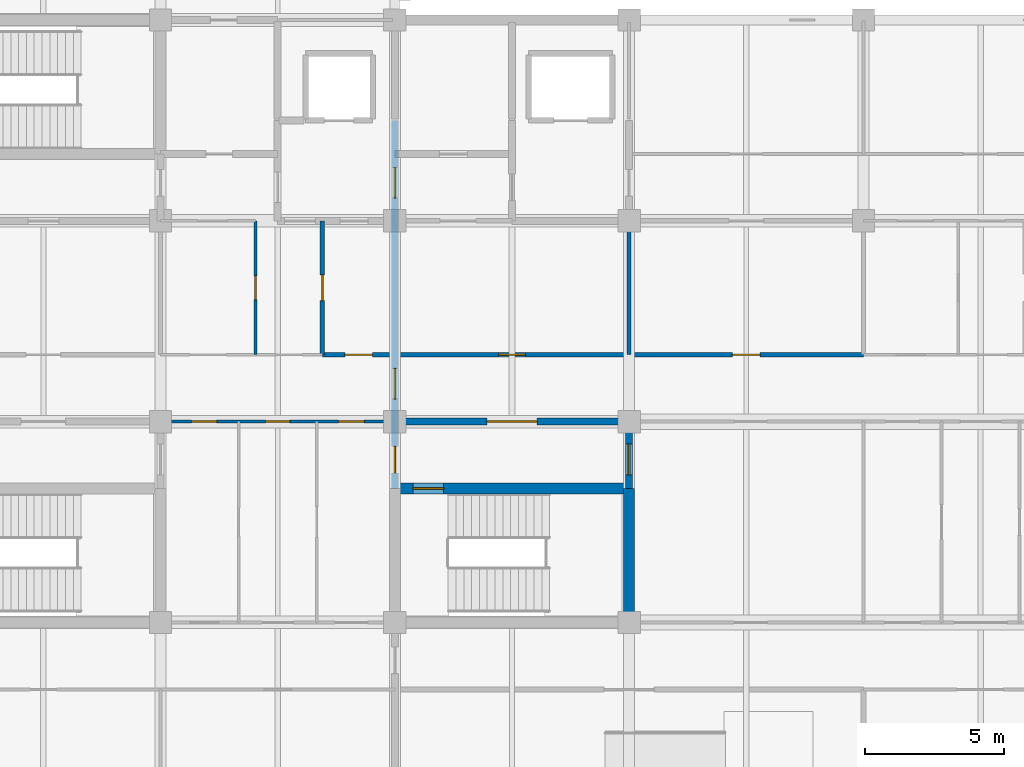
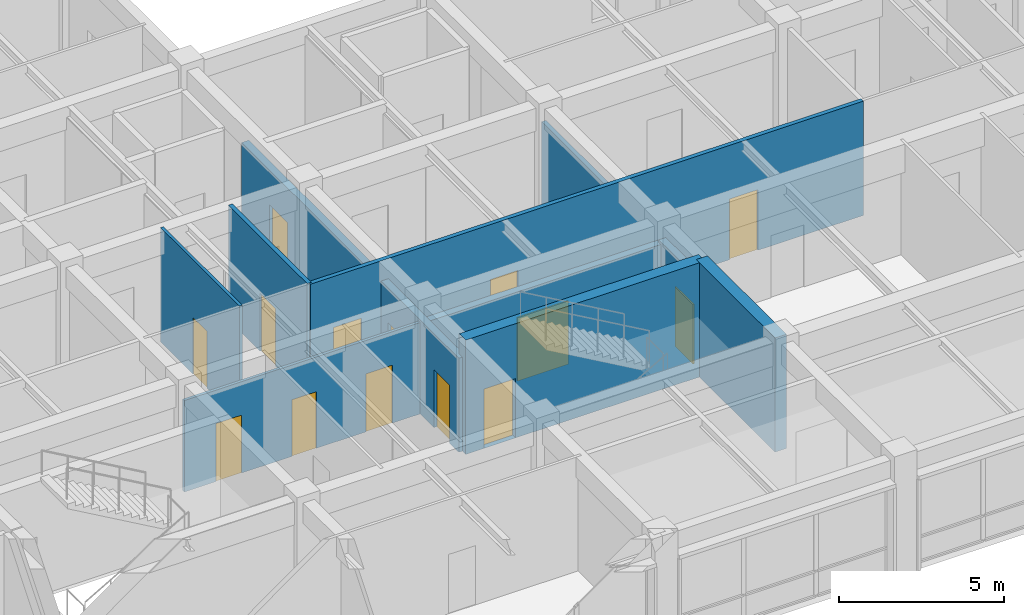
# One storey, part 25 of 40: 14 doors, 10 walls, 14 openings.
"""IFC4 building model written with IfcOpenShell, lengths in metres."""

from ifc_helpers import new_model, si_unit, direction, frame, frame_2d, origin, place, context, subcontext, project, spatial, rectangle, extrude, material, layer, layer_set, type_object, element, fill, save


model = new_model("IFC4")

# Units and contexts
model_context = context("Model", 3, precision=1e-05, world=origin(), true_north=direction((0.0, 1.0)))
body_context = subcontext(model_context, "Body", "Model", "MODEL_VIEW")
ifc_project = project(units=[si_unit("LENGTHUNIT", "METRE"), si_unit("AREAUNIT", "SQUARE_METRE"), si_unit("VOLUMEUNIT", "CUBIC_METRE"), si_unit("PLANEANGLEUNIT", "RADIAN"), si_unit("MASSUNIT", "GRAM", prefix="KILO")], contexts=[model_context])

# Site, building, storey
site_placement = place(None, origin())
site = spatial("IfcSite", under=ifc_project, at=site_placement, CompositionType="ELEMENT")
building_placement = place(site_placement, origin())
building = spatial("IfcBuilding", under=site, at=building_placement, Name="Chengyuan Square Courthouse", CompositionType="ELEMENT")
storey_placement = place(building_placement, frame((0.0, 0.0, 21.60009765625)))
storey = spatial("IfcBuildingStorey", under=building, at=storey_placement, Name="L05", CompositionType="ELEMENT", Elevation=21.60009765625)

# Wall, opening, door
ifc_material_1 = material(Name="Concrete C40", Category="concrete")
ifc_layer_1 = layer(ifc_material_1, 0.25)
ifc_layer_set_1 = layer_set([ifc_layer_1], Name="Concrete C40")
wall_type_1 = type_object("IfcWallType", Name="WL-FW1", PredefinedType="STANDARD", material=ifc_layer_set_1)
wall_1_placement = place(storey_placement, frame((117.60009765625, 93.60009765625, 0.0), z_axis=(0.0, 0.0, 1.0), x_axis=(1.0, 0.0, 0.0)))
wall_1 = element("IfcWall", 1, at=wall_1_placement, inside=storey, type_object=wall_type_1, Name="Interior Wall WL-L05-I2141", PredefinedType="STANDARD", context=body_context, shape_type="SweptSolid", body=[
    extrude(rectangle(XDim=8.39990234375, YDim=0.25, at=frame_2d((4.199951171875, 0.0))), origin(), (0.0, 0.0, 1.0), 3.389892578125),
])
opening_1_placement = place(wall_1_placement, frame((3.300048828125, 0.0, 0.0)))
opening_1 = element("IfcOpeningElement", 2, at=opening_1_placement, cuts=wall_1, Name="Opening DR-1940", PredefinedType="OPENING", context=body_context, shape_type="SweptSolid", body=[
    extrude(rectangle(XDim=1.800048828125, YDim=2.35009765625, at=frame_2d((0.89990234375, 1.175048828125))), frame((0.0, 0.136962890625, 0.0), z_axis=(0.0, -1.0, 0.0), x_axis=(1.0, 0.0, 0.0)), (0.0, 0.0, 1.0), 0.27392578125),
])
ifc_material_2 = material(Name="Steel Q235B Glazed Fire Door", Category="steel")
door_type_1 = type_object("IfcDoorType", Name="DT-18", OperationType="DOUBLE_DOOR_SINGLE_SWING", PredefinedType="DOOR", material=ifc_material_2)
door_1_placement = place(opening_1_placement, frame((1.800048828125, 0.0, 0.0), z_axis=(0.0, 0.0, 1.0), x_axis=(-1.0, 0.0, 0.0)))
door_1 = element("IfcDoor", 3, at=door_1_placement, inside=storey, type_object=door_type_1, Name="Interior Door DR-1940", OperationType="DOUBLE_DOOR_SINGLE_SWING", OverallHeight=2.35009765625, OverallWidth=1.800048828125, PredefinedType="DOOR", context=body_context, shape_type="SweptSolid", body=[
    extrude(rectangle(XDim=1.800048828125, YDim=2.35009765625, at=frame_2d((0.89990234375, 1.175048828125))), frame((0.0, 0.02490234375, 0.0), z_axis=(0.0, -1.0, 0.0), x_axis=(1.0, 0.0, 0.0)), (0.0, 0.0, 1.0), 0.050048828125),
])
fill(opening_1, door_1)

# Wall, openings, doors
wall_2_placement = place(storey_placement, frame((117.60009765625, 91.199951171875, 0.0), z_axis=(0.0, 0.0, 1.0), x_axis=(0.0, 1.0, 0.0)))
wall_2 = element("IfcWall", 4, at=wall_2_placement, inside=storey, type_object=wall_type_1, Name="Interior Wall WL-L05-I2340", PredefinedType="STANDARD", context=body_context, shape_type="SweptSolid", body=[
    extrude(rectangle(XDim=13.199951171875, YDim=0.25, at=frame_2d((6.60009765625, 0.0))), origin(), (0.0, 0.0, 1.0), 3.489990234375),
])
opening_2_placement = place(wall_2_placement, frame((0.56494140625, 0.0, 0.0)))
opening_2 = element("IfcOpeningElement", 5, at=opening_2_placement, cuts=wall_2, Name="Opening DR-1941", PredefinedType="OPENING", context=body_context, shape_type="SweptSolid", body=[
    extrude(rectangle(XDim=0.949951171875, YDim=2.14990234375, at=frame_2d((0.47509765625, 1.074951171875))), frame((0.0, 0.136962890625, 0.0), z_axis=(0.0, -1.0, 0.0), x_axis=(1.0, 0.0, 0.0)), (0.0, 0.0, 1.0), 0.27392578125),
])
opening_3_placement = place(wall_2_placement, frame((10.409912109375, 0.0, 0.0)))
opening_3 = element("IfcOpeningElement", 6, at=opening_3_placement, cuts=wall_2, Name="Opening DR-1960", PredefinedType="OPENING", context=body_context, shape_type="SweptSolid", body=[
    extrude(rectangle(XDim=1.10009765625, YDim=2.199951171875, at=frame_2d((0.550048828125, 1.10009765625))), frame((0.0, 0.136962890625, 0.0), z_axis=(0.0, -1.0, 0.0), x_axis=(1.0, 0.0, 0.0)), (0.0, 0.0, 1.0), 0.27392578125),
])
opening_4_placement = place(wall_2_placement, frame((3.2099609375, 0.0, 0.0)))
opening_4 = element("IfcOpeningElement", 7, at=opening_4_placement, cuts=wall_2, Name="Opening DR-2023", PredefinedType="OPENING", context=body_context, shape_type="SweptSolid", body=[
    extrude(rectangle(XDim=1.10009765625, YDim=2.199951171875, at=frame_2d((0.550048828125, 1.10009765625))), frame((0.0, 0.136962890625, 0.0), z_axis=(0.0, -1.0, 0.0), x_axis=(1.0, 0.0, 0.0)), (0.0, 0.0, 1.0), 0.27392578125),
])
ifc_material_3 = material(Name="Steel Q235B Fire Door", Category="steel")
door_type_2 = type_object("IfcDoorType", Name="DT-10", OperationType="NOTDEFINED", PredefinedType="DOOR", material=ifc_material_3)
door_2_placement = place(opening_3_placement, origin())
door_2 = element("IfcDoor", 8, at=door_2_placement, inside=storey, type_object=door_type_2, Name="Interior Door DR-1960", OperationType="SINGLE_SWING_LEFT", OverallHeight=2.199951171875, OverallWidth=1.10009765625, PredefinedType="DOOR", context=body_context, shape_type="SweptSolid", body=[
    extrude(rectangle(XDim=1.10009765625, YDim=2.199951171875, at=frame_2d((0.550048828125, 1.10009765625))), frame((0.0, 0.02490234375, 0.0), z_axis=(0.0, -1.0, 0.0), x_axis=(1.0, 0.0, 0.0)), (0.0, 0.0, 1.0), 0.050048828125),
])
fill(opening_3, door_2)
door_3_placement = place(opening_4_placement, origin())
door_3 = element("IfcDoor", 9, at=door_3_placement, inside=storey, type_object=door_type_2, Name="Interior Door DR-2023", OperationType="SINGLE_SWING_LEFT", OverallHeight=2.199951171875, OverallWidth=1.10009765625, PredefinedType="DOOR", context=body_context, shape_type="SweptSolid", body=[
    extrude(rectangle(XDim=1.10009765625, YDim=2.199951171875, at=frame_2d((0.550048828125, 1.10009765625))), frame((0.0, 0.02490234375, 0.0), z_axis=(0.0, -1.0, 0.0), x_axis=(1.0, 0.0, 0.0)), (0.0, 0.0, 1.0), 0.050048828125),
])
fill(opening_4, door_3)
door_type_3 = type_object("IfcDoorType", Name="DT-12", OperationType="NOTDEFINED", PredefinedType="DOOR", material=ifc_material_3)
door_4_placement = place(opening_2_placement, origin())
door_4 = element("IfcDoor", 10, at=door_4_placement, inside=storey, type_object=door_type_3, Name="Interior Door DR-1941", OperationType="SINGLE_SWING_RIGHT", OverallHeight=2.14990234375, OverallWidth=0.949951171875, PredefinedType="DOOR", context=body_context, shape_type="SweptSolid", body=[
    extrude(rectangle(XDim=0.949951171875, YDim=2.14990234375, at=frame_2d((0.47509765625, 1.074951171875))), frame((0.0, 0.02490234375, 0.0), z_axis=(0.0, -1.0, 0.0), x_axis=(1.0, 0.0, 0.0)), (0.0, 0.0, 1.0), 0.050048828125),
])
fill(opening_2, door_4)

# Wall, opening, door
wall_3_placement = place(storey_placement, frame((126.0, 91.199951171875, 0.0), z_axis=(0.0, 0.0, 1.0), x_axis=(0.0, 1.0, 0.0)))
wall_3 = element("IfcWall", 11, at=wall_3_placement, inside=storey, type_object=wall_type_1, Name="Interior Wall WL-L05-I2347", PredefinedType="STANDARD", context=body_context, shape_type="SweptSolid", body=[
    extrude(rectangle(XDim=2.400146484375, YDim=0.25, at=frame_2d((1.2001953125, 0.0))), origin(), (0.0, 0.0, 1.0), 3.489990234375),
])
opening_5_placement = place(wall_3_placement, frame((0.489990234375, 0.0, 0.0)))
opening_5 = element("IfcOpeningElement", 12, at=opening_5_placement, cuts=wall_3, Name="Opening DR-1942", PredefinedType="OPENING", context=body_context, shape_type="SweptSolid", body=[
    extrude(rectangle(XDim=1.10009765625, YDim=2.199951171875, at=frame_2d((0.550048828125, 1.10009765625))), frame((0.0, 0.136962890625, 0.0), z_axis=(0.0, -1.0, 0.0), x_axis=(1.0, 0.0, 0.0)), (0.0, 0.0, 1.0), 0.27392578125),
])
door_5_placement = place(opening_5_placement, origin())
door_5 = element("IfcDoor", 13, at=door_5_placement, inside=storey, type_object=door_type_2, Name="Interior Door DR-1942", OperationType="SINGLE_SWING_LEFT", OverallHeight=2.199951171875, OverallWidth=1.10009765625, PredefinedType="DOOR", context=body_context, shape_type="SweptSolid", body=[
    extrude(rectangle(XDim=1.10009765625, YDim=2.199951171875, at=frame_2d((0.550048828125, 1.10009765625))), frame((0.0, 0.02490234375, 0.0), z_axis=(0.0, -1.0, 0.0), x_axis=(1.0, 0.0, 0.0)), (0.0, 0.0, 1.0), 0.050048828125),
])
fill(opening_5, door_5)

# Wall, openings, doors
ifc_material_4 = material(Name="Deliberation Room Sound-Insulated Partition")
ifc_layer_2 = layer(ifc_material_4, 0.14990234375)
ifc_layer_set_2 = layer_set([ifc_layer_2], Name="Deliberation Room Sound-Insulated Partition")
wall_type_2 = type_object("IfcWallType", Name="WL-PT3", PredefinedType="STANDARD", material=ifc_layer_set_2)
wall_4_placement = place(storey_placement, frame((115.0, 96.0, 0.0), z_axis=(0.0, 0.0, 1.0), x_axis=(1.0, 0.0, 0.0)))
wall_4 = element("IfcWall", 14, at=wall_4_placement, inside=storey, type_object=wall_type_2, Name="Interior Wall WL-L05-I2150", PredefinedType="STANDARD", context=body_context, shape_type="SweptSolid", body=[
    extrude(rectangle(XDim=19.39990234375, YDim=0.14990234375, at=frame_2d((9.699951171875, 0.0))), origin(), (0.0, 0.0, 1.0), 4.239990234375),
])
opening_6_placement = place(wall_4_placement, frame((0.81005859375, 0.0, 0.0)))
opening_6 = element("IfcOpeningElement", 15, at=opening_6_placement, cuts=wall_4, Name="Opening DR-2031", PredefinedType="OPENING", context=body_context, shape_type="SweptSolid", body=[
    extrude(rectangle(XDim=0.97998046875, YDim=2.35009765625, at=frame_2d((0.489990234375, 1.175048828125))), frame((0.0, 0.0869140625, 0.0), z_axis=(0.0, -1.0, 0.0), x_axis=(1.0, 0.0, 0.0)), (0.0, 0.0, 1.0), 0.173828125),
])
opening_7_placement = place(wall_4_placement, frame((6.320068359375, 0.0, 0.0)))
opening_7 = element("IfcOpeningElement", 16, at=opening_7_placement, cuts=wall_4, Name="Opening DR-2038", PredefinedType="OPENING", context=body_context, shape_type="SweptSolid", body=[
    extrude(rectangle(XDim=0.9599609375, YDim=2.199951171875, at=frame_2d((0.47998046875, 1.10009765625))), frame((0.0, 0.0869140625, 0.0), z_axis=(0.0, -1.0, 0.0), x_axis=(1.0, 0.0, 0.0)), (0.0, 0.0, 1.0), 0.173828125),
])
opening_8_placement = place(wall_4_placement, frame((14.699951171875, 0.0, 0.0)))
opening_8 = element("IfcOpeningElement", 17, at=opening_8_placement, cuts=wall_4, Name="Opening DR-2039", PredefinedType="OPENING", context=body_context, shape_type="SweptSolid", body=[
    extrude(rectangle(XDim=1.0, YDim=2.25, at=frame_2d((0.5, 1.125))), frame((0.0, 0.0869140625, 0.0), z_axis=(0.0, -1.0, 0.0), x_axis=(1.0, 0.0, 0.0)), (0.0, 0.0, 1.0), 0.173828125),
])
ifc_material_5 = material(Name="Acoustic Solid-Core Timber Door", Category="wood")
door_type_4 = type_object("IfcDoorType", Name="DT-30", OperationType="NOTDEFINED", PredefinedType="DOOR", material=ifc_material_5)
door_6_placement = place(opening_7_placement, origin())
door_6 = element("IfcDoor", 18, at=door_6_placement, inside=storey, type_object=door_type_4, Name="Interior Door DR-2038", OperationType="SINGLE_SWING_RIGHT", OverallHeight=2.199951171875, OverallWidth=0.9599609375, PredefinedType="DOOR", context=body_context, shape_type="SweptSolid", body=[
    extrude(rectangle(XDim=0.9599609375, YDim=2.199951171875, at=frame_2d((0.47998046875, 1.10009765625))), frame((0.0, 0.02490234375, 0.0), z_axis=(0.0, -1.0, 0.0), x_axis=(1.0, 0.0, 0.0)), (0.0, 0.0, 1.0), 0.050048828125),
])
fill(opening_7, door_6)
door_type_5 = type_object("IfcDoorType", Name="DT-31", OperationType="NOTDEFINED", PredefinedType="DOOR", material=ifc_material_5)
door_7_placement = place(opening_8_placement, origin())
door_7 = element("IfcDoor", 19, at=door_7_placement, inside=storey, type_object=door_type_5, Name="Interior Door DR-2039", OperationType="SINGLE_SWING_LEFT", OverallHeight=2.25, OverallWidth=1.0, PredefinedType="DOOR", context=body_context, shape_type="SweptSolid", body=[
    extrude(rectangle(XDim=1.0, YDim=2.25, at=frame_2d((0.5, 1.125))), frame((0.0, 0.02490234375, 0.0), z_axis=(0.0, -1.0, 0.0), x_axis=(1.0, 0.0, 0.0)), (0.0, 0.0, 1.0), 0.050048828125),
])
fill(opening_8, door_7)
door_type_6 = type_object("IfcDoorType", Name="DT-40", OperationType="NOTDEFINED", PredefinedType="DOOR", material=ifc_material_5)
door_8_placement = place(opening_6_placement, origin())
door_8 = element("IfcDoor", 20, at=door_8_placement, inside=storey, type_object=door_type_6, Name="Interior Door DR-2031", OperationType="SINGLE_SWING_LEFT", OverallHeight=2.35009765625, OverallWidth=0.97998046875, PredefinedType="DOOR", context=body_context, shape_type="SweptSolid", body=[
    extrude(rectangle(XDim=0.97998046875, YDim=2.35009765625, at=frame_2d((0.489990234375, 1.175048828125))), frame((0.0, 0.02490234375, 0.0), z_axis=(0.0, -1.0, 0.0), x_axis=(1.0, 0.0, 0.0)), (0.0, 0.0, 1.0), 0.050048828125),
])
fill(opening_6, door_8)

# Wall, opening, door
wall_5_placement = place(storey_placement, frame((115.0, 96.0, 0.0), z_axis=(0.0, 0.0, 1.0), x_axis=(0.0, 1.0, 0.0)))
wall_5 = element("IfcWall", 21, at=wall_5_placement, inside=storey, type_object=wall_type_2, Name="Interior Wall WL-L05-I2336", PredefinedType="STANDARD", context=body_context, shape_type="SweptSolid", body=[
    extrude(rectangle(XDim=4.800048828125, YDim=0.14990234375, at=frame_2d((2.39990234375, 0.0))), origin(), (0.0, 0.0, 1.0), 4.239990234375),
])
opening_9_placement = place(wall_5_placement, frame((1.93994140625, 0.0, 0.0)))
opening_9 = element("IfcOpeningElement", 22, at=opening_9_placement, cuts=wall_5, Name="Opening DR-2054", PredefinedType="OPENING", context=body_context, shape_type="SweptSolid", body=[
    extrude(rectangle(XDim=0.919921875, YDim=2.14990234375, at=frame_2d((0.4599609375, 1.074951171875))), frame((0.0, 0.0869140625, 0.0), z_axis=(0.0, -1.0, 0.0), x_axis=(1.0, 0.0, 0.0)), (0.0, 0.0, 1.0), 0.173828125),
])
door_type_7 = type_object("IfcDoorType", Name="DT-29", OperationType="NOTDEFINED", PredefinedType="DOOR", material=ifc_material_5)
door_9_placement = place(opening_9_placement, origin())
door_9 = element("IfcDoor", 23, at=door_9_placement, inside=storey, type_object=door_type_7, Name="Interior Door DR-2054", OperationType="SINGLE_SWING_LEFT", OverallHeight=2.14990234375, OverallWidth=0.919921875, PredefinedType="DOOR", context=body_context, shape_type="SweptSolid", body=[
    extrude(rectangle(XDim=0.919921875, YDim=2.14990234375, at=frame_2d((0.4599609375, 1.074951171875))), frame((0.0, 0.02490234375, 0.0), z_axis=(0.0, -1.0, 0.0), x_axis=(1.0, 0.0, 0.0)), (0.0, 0.0, 1.0), 0.050048828125),
])
fill(opening_9, door_9)

# Wall
wall_6_placement = place(storey_placement, frame((126.0, 96.0, 0.0), z_axis=(0.0, 0.0, 1.0), x_axis=(0.0, 1.0, 0.0)))
element("IfcWall", 24, at=wall_6_placement, inside=storey, type_object=wall_type_2, Name="Interior Wall WL-L05-I2348", PredefinedType="STANDARD", context=body_context, shape_type="SweptSolid", body=[
    extrude(rectangle(XDim=4.800048828125, YDim=0.14990234375, at=frame_2d((2.39990234375, 0.0))), origin(), (0.0, 0.0, 1.0), 3.489990234375),
])

# Wall, openings, doors
ifc_material_6 = material(Name="Gypsum Plasterboard Acoustic Stud Partition")
ifc_layer_3 = layer(ifc_material_6, 0.10009765625)
ifc_layer_set_3 = layer_set([ifc_layer_3], Name="Gypsum Plasterboard Acoustic Stud Partition")
wall_type_3 = type_object("IfcWallType", Name="WL-PT6", PredefinedType="STANDARD", material=ifc_layer_set_3)
wall_7_placement = place(storey_placement, frame((109.199951171875, 93.60009765625, 0.0), z_axis=(0.0, 0.0, 1.0), x_axis=(1.0, 0.0, 0.0)))
wall_7 = element("IfcWall", 25, at=wall_7_placement, inside=storey, type_object=wall_type_3, Name="Interior Wall WL-L05-I2140", PredefinedType="STANDARD", context=body_context, shape_type="SweptSolid", body=[
    extrude(rectangle(XDim=8.400146484375, YDim=0.10009765625, at=frame_2d((4.2001953125, 0.0))), origin(), (0.0, 0.0, 1.0), 3.389892578125),
])
opening_10_placement = place(wall_7_placement, frame((1.110107421875, 0.0, 0.0)))
opening_10 = element("IfcOpeningElement", 26, at=opening_10_placement, cuts=wall_7, Name="Opening DR-2035", PredefinedType="OPENING", context=body_context, shape_type="SweptSolid", body=[
    extrude(rectangle(XDim=0.89990234375, YDim=2.14990234375, at=frame_2d((0.449951171875, 1.074951171875))), frame((0.0, 0.06201171875, 0.0), z_axis=(0.0, -1.0, 0.0), x_axis=(1.0, 0.0, 0.0)), (0.0, 0.0, 1.0), 0.1240234375),
])
opening_11_placement = place(wall_7_placement, frame((3.77001953125, 0.0, 0.0)))
opening_11 = element("IfcOpeningElement", 27, at=opening_11_placement, cuts=wall_7, Name="Opening DR-2036", PredefinedType="OPENING", context=body_context, shape_type="SweptSolid", body=[
    extrude(rectangle(XDim=0.860107421875, YDim=2.10009765625, at=frame_2d((0.43017578125, 1.050048828125))), frame((0.0, 0.06201171875, 0.0), z_axis=(0.0, -1.0, 0.0), x_axis=(1.0, 0.0, 0.0)), (0.0, 0.0, 1.0), 0.1240234375),
])
opening_12_placement = place(wall_7_placement, frame((6.3798828125, 0.0, 0.0)))
opening_12 = element("IfcOpeningElement", 28, at=opening_12_placement, cuts=wall_7, Name="Opening DR-2037", PredefinedType="OPENING", context=body_context, shape_type="SweptSolid", body=[
    extrude(rectangle(XDim=0.919921875, YDim=2.14990234375, at=frame_2d((0.4599609375, 1.074951171875))), frame((0.0, 0.06201171875, 0.0), z_axis=(0.0, -1.0, 0.0), x_axis=(1.0, 0.0, 0.0)), (0.0, 0.0, 1.0), 0.1240234375),
])
door_type_8 = type_object("IfcDoorType", Name="DT-27", OperationType="NOTDEFINED", PredefinedType="DOOR", material=ifc_material_5)
door_10_placement = place(opening_10_placement, origin())
door_10 = element("IfcDoor", 29, at=door_10_placement, inside=storey, type_object=door_type_8, Name="Interior Door DR-2035", OperationType="SINGLE_SWING_LEFT", OverallHeight=2.14990234375, OverallWidth=0.89990234375, PredefinedType="DOOR", context=body_context, shape_type="SweptSolid", body=[
    extrude(rectangle(XDim=0.89990234375, YDim=2.14990234375, at=frame_2d((0.449951171875, 1.074951171875))), frame((0.0, 0.02490234375, 0.0), z_axis=(0.0, -1.0, 0.0), x_axis=(1.0, 0.0, 0.0)), (0.0, 0.0, 1.0), 0.050048828125),
])
fill(opening_10, door_10)
door_type_9 = type_object("IfcDoorType", Name="DT-28", OperationType="NOTDEFINED", PredefinedType="DOOR", material=ifc_material_5)
door_11_placement = place(opening_11_placement, origin())
door_11 = element("IfcDoor", 30, at=door_11_placement, inside=storey, type_object=door_type_9, Name="Interior Door DR-2036", OperationType="SINGLE_SWING_RIGHT", OverallHeight=2.10009765625, OverallWidth=0.860107421875, PredefinedType="DOOR", context=body_context, shape_type="SweptSolid", body=[
    extrude(rectangle(XDim=0.860107421875, YDim=2.10009765625, at=frame_2d((0.43017578125, 1.050048828125))), frame((0.0, 0.02490234375, 0.0), z_axis=(0.0, -1.0, 0.0), x_axis=(1.0, 0.0, 0.0)), (0.0, 0.0, 1.0), 0.050048828125),
])
fill(opening_11, door_11)
door_12_placement = place(opening_12_placement, origin())
door_12 = element("IfcDoor", 31, at=door_12_placement, inside=storey, type_object=door_type_7, Name="Interior Door DR-2037", OperationType="SINGLE_SWING_LEFT", OverallHeight=2.14990234375, OverallWidth=0.919921875, PredefinedType="DOOR", context=body_context, shape_type="SweptSolid", body=[
    extrude(rectangle(XDim=0.919921875, YDim=2.14990234375, at=frame_2d((0.4599609375, 1.074951171875))), frame((0.0, 0.02490234375, 0.0), z_axis=(0.0, -1.0, 0.0), x_axis=(1.0, 0.0, 0.0)), (0.0, 0.0, 1.0), 0.050048828125),
])
fill(opening_12, door_12)

# Wall, opening, door
wall_8_placement = place(storey_placement, frame((112.60009765625, 96.0, 0.0), z_axis=(0.0, 0.0, 1.0), x_axis=(0.0, 1.0, 0.0)))
wall_8 = element("IfcWall", 32, at=wall_8_placement, inside=storey, type_object=wall_type_3, Name="Interior Wall WL-L05-I2331", PredefinedType="STANDARD", context=body_context, shape_type="SweptSolid", body=[
    extrude(rectangle(XDim=4.800048828125, YDim=0.10009765625, at=frame_2d((2.39990234375, 0.0))), origin(), (0.0, 0.0, 1.0), 4.239990234375),
])
opening_13_placement = place(wall_8_placement, frame((1.969970703125, 0.0, 0.0)))
opening_13 = element("IfcOpeningElement", 33, at=opening_13_placement, cuts=wall_8, Name="Opening DR-2053", PredefinedType="OPENING", context=body_context, shape_type="SweptSolid", body=[
    extrude(rectangle(XDim=0.860107421875, YDim=2.10009765625, at=frame_2d((0.43017578125, 1.050048828125))), frame((0.0, 0.06201171875, 0.0), z_axis=(0.0, -1.0, 0.0), x_axis=(1.0, 0.0, 0.0)), (0.0, 0.0, 1.0), 0.1240234375),
])
door_13_placement = place(opening_13_placement, origin())
door_13 = element("IfcDoor", 34, at=door_13_placement, inside=storey, type_object=door_type_9, Name="Interior Door DR-2053", OperationType="SINGLE_SWING_RIGHT", OverallHeight=2.10009765625, OverallWidth=0.860107421875, PredefinedType="DOOR", context=body_context, shape_type="SweptSolid", body=[
    extrude(rectangle(XDim=0.860107421875, YDim=2.10009765625, at=frame_2d((0.43017578125, 1.050048828125))), frame((0.0, 0.02490234375, 0.0), z_axis=(0.0, -1.0, 0.0), x_axis=(1.0, 0.0, 0.0)), (0.0, 0.0, 1.0), 0.050048828125),
])
fill(opening_13, door_13)

ifc_material_7 = material(Name="Concrete C50", Category="concrete")
ifc_layer_4 = layer(ifc_material_7, 0.39990234375)
ifc_layer_set_4 = layer_set([ifc_layer_4], Name="Concrete C50")
wall_type_4 = type_object("IfcWallType", Name="WL-SW1", PredefinedType="SHEAR", material=ifc_layer_set_4)
wall_9_placement = place(storey_placement, frame((117.60009765625, 91.199951171875, 0.0), z_axis=(0.0, 0.0, 1.0), x_axis=(1.0, 0.0, 0.0)))
wall_9 = element("IfcWall", 35, at=wall_9_placement, inside=storey, type_object=wall_type_4, Name="Interior Wall WL-L05-I2133", PredefinedType="SHEAR", context=body_context, shape_type="SweptSolid", body=[
    extrude(rectangle(XDim=8.39990234375, YDim=0.39990234375, at=frame_2d((4.199951171875, 0.0))), origin(), (0.0, 0.0, 1.0), 4.239990234375),
])
opening_14_placement = place(wall_9_placement, frame((0.64990234375, 0.0, 0.0)))
opening_14 = element("IfcOpeningElement", 36, at=opening_14_placement, cuts=wall_9, Name="Opening DR-1924", PredefinedType="OPENING", context=body_context, shape_type="SweptSolid", body=[
    extrude(rectangle(XDim=1.10009765625, YDim=2.199951171875, at=frame_2d((0.550048828125, 1.10009765625))), frame((0.0, 0.2119140625, 0.0), z_axis=(0.0, -1.0, 0.0), x_axis=(1.0, 0.0, 0.0)), (0.0, 0.0, 1.0), 0.423828125),
])
door_14_placement = place(opening_14_placement, frame((1.10009765625, 0.0, 0.0), z_axis=(0.0, 0.0, 1.0), x_axis=(-1.0, 0.0, 0.0)))
door_14 = element("IfcDoor", 37, at=door_14_placement, inside=storey, type_object=door_type_2, Name="Smoke-Proof Stairwell Fire Door ST-6 DR-1924", OperationType="SINGLE_SWING_LEFT", OverallHeight=2.199951171875, OverallWidth=1.10009765625, PredefinedType="DOOR", context=body_context, shape_type="SweptSolid", body=[
    extrude(rectangle(XDim=1.10009765625, YDim=2.199951171875, at=frame_2d((0.550048828125, 1.10009765625))), frame((0.0, 0.02490234375, 0.0), z_axis=(0.0, -1.0, 0.0), x_axis=(1.0, 0.0, 0.0)), (0.0, 0.0, 1.0), 0.050048828125),
])
fill(opening_14, door_14)

# Wall
wall_10_placement = place(storey_placement, frame((126.0, 86.39990234375, 0.0), z_axis=(0.0, 0.0, 1.0), x_axis=(0.0, 1.0, 0.0)))
element("IfcWall", 38, at=wall_10_placement, inside=storey, type_object=wall_type_4, Name="Interior Wall WL-L05-I2346", PredefinedType="SHEAR", context=body_context, shape_type="SweptSolid", body=[
    extrude(rectangle(XDim=4.800048828125, YDim=0.39990234375, at=frame_2d((2.39990234375, 0.0))), origin(), (0.0, 0.0, 1.0), 4.239990234375),
])

save(model, "model.ifc")
